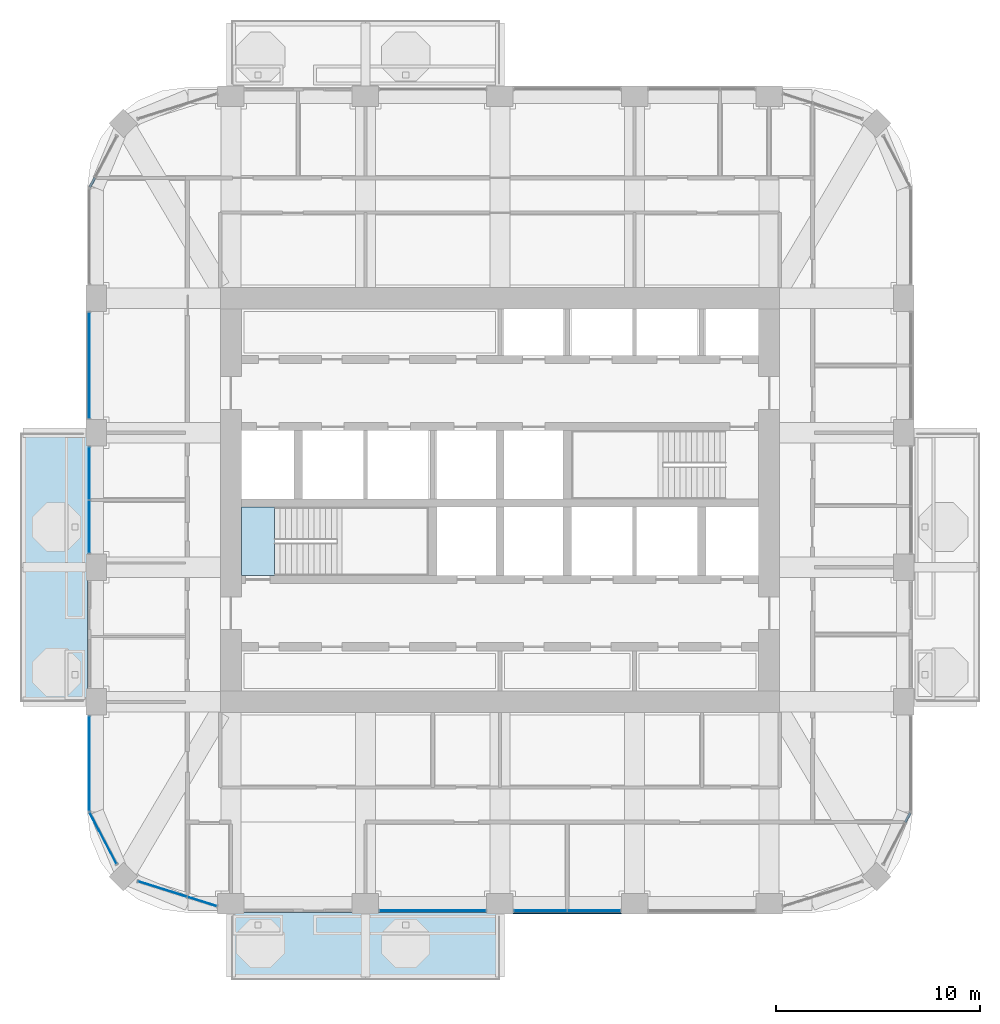
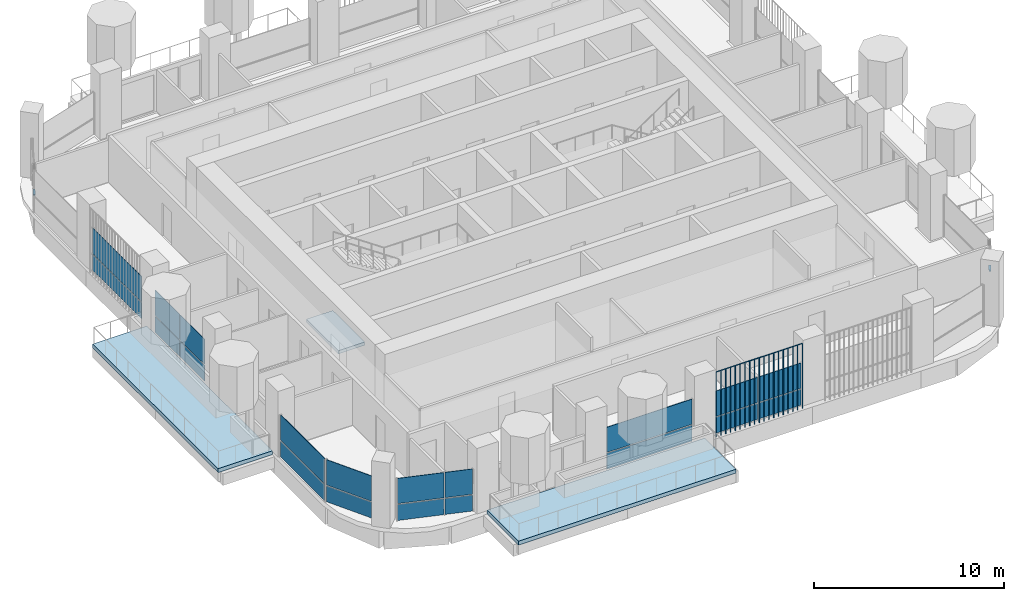
# One storey, part 7 of 20: 21 plates, 3 slabs, 2 members, 10 elements without a shape of their own.
"""IFC4 building model written with IfcOpenShell, lengths in metres."""

from ifc_helpers import new_model, si_unit, direction, frame, origin, origin_2d, place, context, subcontext, project, spatial, polyline, rectangle, outline, extrude, material, layer, layer_set, material_profile, profile_set, type_object, element, aggregate, save


model = new_model("IFC4")

# Units and contexts
model_context = context("Model", 3, precision=1e-05, world=origin(), true_north=direction((0.0, 1.0)))
body_context = subcontext(model_context, "Body", "Model", "MODEL_VIEW")
ifc_project = project(units=[si_unit("LENGTHUNIT", "METRE"), si_unit("AREAUNIT", "SQUARE_METRE"), si_unit("VOLUMEUNIT", "CUBIC_METRE"), si_unit("PLANEANGLEUNIT", "RADIAN"), si_unit("MASSUNIT", "GRAM", prefix="KILO")], contexts=[model_context])

# Site, building, storey
site_placement = place(None, origin())
site = spatial("IfcSite", under=ifc_project, at=site_placement, CompositionType="ELEMENT")
building_placement = place(site_placement, origin())
building = spatial("IfcBuilding", under=site, at=building_placement, Name="Cobogo Forest Laboratory Tower", CompositionType="ELEMENT")
storey_placement = place(building_placement, frame((0.0, 0.0, 254.39990234375)))
storey = spatial("IfcBuildingStorey", under=building, at=storey_placement, Name="L58", CompositionType="ELEMENT", Elevation=254.39990234375)

# Curtain wall, member
ifc_material_1 = material(Name="Aluminium curtain wall", Category="aluminium")
curtain_wall_type = type_object("IfcCurtainWallType", Name="CW-2 unitised curtain wall, solar control glazing, laboratory floors zones C and D", PredefinedType="USERDEFINED", material=ifc_material_1)
curtain_wall_1_placement = place(storey_placement, origin())
curtain_wall_1 = element("IfcCurtainWall", 1, at=curtain_wall_1_placement, inside=storey, type_object=curtain_wall_type, Name="Curtain wall 06 L58", ObjectType="UNITISED CURTAIN WALL", PredefinedType="USERDEFINED")
ifc_material_2 = material(Name="Aluminium transom", Category="aluminium")
ifc_material_profile = material_profile(ifc_material_2, rectangle(XDim=0.1201171875, YDim=0.06005859375, at=origin_2d()), Name="AL 60x120")
ifc_profile_set = profile_set([ifc_material_profile], Name="Aluminium transom")
member_type = type_object("IfcMemberType", Name="TR-1 aluminium transom 60x120", PredefinedType="USERDEFINED", material=ifc_profile_set)
member_1_placement = place(storey_placement, frame((46.282470703125, 7.289306640625, 1.050048828125), z_axis=(0.46414828098, 0.885757513806, 0.0), x_axis=(-0.885757513806, 0.46414828098, 0.0)))
member_1 = element("IfcMember", 2, at=member_1_placement, type_object=member_type, Name="CW-2 transom 2.1", ObjectType="TRANSOM", PredefinedType="USERDEFINED", context=body_context, shape_type="SweptSolid", body=[
    extrude(rectangle(XDim=0.1201171875, YDim=0.06005859375, at=origin_2d()), origin(), (0.0, 0.0, 1.0), 0.5166015625),
])
aggregate(curtain_wall_1, [member_1])

curtain_wall_2_placement = place(storey_placement, origin())
curtain_wall_2 = element("IfcCurtainWall", 3, at=curtain_wall_2_placement, inside=storey, type_object=curtain_wall_type, Name="Curtain wall 19 L58", ObjectType="UNITISED CURTAIN WALL", PredefinedType="USERDEFINED")
member_2_placement = place(storey_placement, frame((6.517578125, 38.91064453125, 1.050048828125), z_axis=(-0.46414828098, -0.885757513806, 0.0), x_axis=(0.885757513806, -0.46414828098, 0.0)))
member_2 = element("IfcMember", 4, at=member_2_placement, type_object=member_type, Name="CW-2 transom 2.1", ObjectType="TRANSOM", PredefinedType="USERDEFINED", context=body_context, shape_type="SweptSolid", body=[
    extrude(rectangle(XDim=0.1201171875, YDim=0.06005859375, at=origin_2d()), origin(), (0.0, 0.0, 1.0), 0.5166015625),
])
aggregate(curtain_wall_2, [member_2])

# Slabs
ifc_material_3 = material(Name="Concrete HA-40 (C40/50)", Category="concrete")
ifc_layer_1 = layer(ifc_material_3, 0.25)
ifc_layer_set_1 = layer_set([ifc_layer_1], Name="Balcony slab 250")
slab_type_1 = type_object("IfcSlabType", Name="Balcony slab 250", PredefinedType="FLOOR", material=ifc_layer_set_1)
slab_1_placement = place(storey_placement, frame((0.0, 0.0, -0.25)))
element("IfcSlab", 5, at=slab_1_placement, inside=storey, type_object=slab_type_1, Name="Balcony BAL-S1 L58", PredefinedType="FLOOR", context=body_context, shape_type="SweptSolid", body=[
    extrude(outline(polyline([(13.199951171875, -0.449951171875), (26.39990234375, -0.449951171875), (26.39990234375, 2.85009765625), (13.199951171875, 2.85009765625), (13.199951171875, -0.449951171875)])), origin(), (0.0, 0.0, 1.0), 0.25),
])
slab_2_placement = place(storey_placement, frame((0.0, 0.0, -0.25)))
element("IfcSlab", 6, at=slab_2_placement, inside=storey, type_object=slab_type_1, Name="Balcony BAL-W1 L58", PredefinedType="FLOOR", context=body_context, shape_type="SweptSolid", body=[
    extrude(outline(polyline([(2.85009765625, 13.199951171875), (6.14990234375, 13.199951171875), (6.14990234375, 26.39990234375), (2.85009765625, 26.39990234375), (2.85009765625, 13.199951171875)])), origin(), (0.0, 0.0, 1.0), 0.25),
])

# Curtain wall, plates
curtain_wall_3_placement = place(storey_placement, origin())
curtain_wall_3 = element("IfcCurtainWall", 7, at=curtain_wall_3_placement, inside=storey, type_object=curtain_wall_type, Name="Curtain wall 02 L58", ObjectType="UNITISED CURTAIN WALL", PredefinedType="USERDEFINED")
ifc_material_4 = material(Name="Solar control insulated glass", Category="glass")
ifc_layer_2 = layer(ifc_material_4, 0.031982421875)
ifc_layer_set_2 = layer_set([ifc_layer_2], Name="GP-2 solar control glass unit 32")
plate_type_1 = type_object("IfcPlateType", Name="GP-2 solar control glass unit 32", PredefinedType="CURTAIN_PANEL", material=ifc_layer_set_2)
plate_1_placement = place(storey_placement, frame((23.10009765625, 2.949951171875, 0.0), z_axis=(0.0, 0.0, 1.0), x_axis=(1.0, 0.0, 0.0)))
plate_1 = element("IfcPlate", 8, at=plate_1_placement, type_object=plate_type_1, Name="CW-2 panel 1.1", PredefinedType="CURTAIN_PANEL", context=body_context, shape_type="SweptSolid", body=[
    extrude(rectangle(XDim=5.179931640625, YDim=0.031982421875, at=origin_2d()), origin(), (0.0, 0.0, 1.0), 1.02001953125),
])
plate_2_placement = place(storey_placement, frame((23.10009765625, 2.949951171875, 1.080078125), z_axis=(0.0, 0.0, 1.0), x_axis=(1.0, 0.0, 0.0)))
plate_2 = element("IfcPlate", 9, at=plate_2_placement, type_object=plate_type_1, Name="CW-2 panel 1.2", PredefinedType="CURTAIN_PANEL", context=body_context, shape_type="SweptSolid", body=[
    extrude(rectangle(XDim=5.179931640625, YDim=0.031982421875, at=origin_2d()), origin(), (0.0, 0.0, 1.0), 1.6201171875),
])
aggregate(curtain_wall_3, [plate_1, plate_2])

curtain_wall_4_placement = place(storey_placement, origin())
curtain_wall_4 = element("IfcCurtainWall", 10, at=curtain_wall_4_placement, inside=storey, type_object=curtain_wall_type, Name="Curtain wall 03 L58", ObjectType="UNITISED CURTAIN WALL", PredefinedType="USERDEFINED")
plate_3_placement = place(storey_placement, frame((28.389892578125, 2.949951171875, 0.0), z_axis=(0.0, 0.0, 1.0), x_axis=(1.0, 0.0, 0.0)))
plate_3 = element("IfcPlate", 11, at=plate_3_placement, type_object=plate_type_1, Name="CW-2 panel 1.1", PredefinedType="CURTAIN_PANEL", context=body_context, shape_type="SweptSolid", body=[
    extrude(rectangle(XDim=2.56005859375, YDim=0.031982421875, at=origin_2d()), origin(), (0.0, 0.0, 1.0), 1.02001953125),
])
plate_4_placement = place(storey_placement, frame((28.389892578125, 2.949951171875, 1.080078125), z_axis=(0.0, 0.0, 1.0), x_axis=(1.0, 0.0, 0.0)))
plate_4 = element("IfcPlate", 12, at=plate_4_placement, type_object=plate_type_1, Name="CW-2 panel 1.2", PredefinedType="CURTAIN_PANEL", context=body_context, shape_type="SweptSolid", body=[
    extrude(rectangle(XDim=2.56005859375, YDim=0.031982421875, at=origin_2d()), origin(), (0.0, 0.0, 1.0), 1.6201171875),
])
plate_5_placement = place(storey_placement, frame((31.010009765625, 2.949951171875, 0.0), z_axis=(0.0, 0.0, 1.0), x_axis=(1.0, 0.0, 0.0)))
plate_5 = element("IfcPlate", 13, at=plate_5_placement, type_object=plate_type_1, Name="CW-2 panel 2.1", PredefinedType="CURTAIN_PANEL", context=body_context, shape_type="SweptSolid", body=[
    extrude(rectangle(XDim=2.56005859375, YDim=0.031982421875, at=origin_2d()), origin(), (0.0, 0.0, 1.0), 1.02001953125),
])
plate_6_placement = place(storey_placement, frame((31.010009765625, 2.949951171875, 1.080078125), z_axis=(0.0, 0.0, 1.0), x_axis=(1.0, 0.0, 0.0)))
plate_6 = element("IfcPlate", 14, at=plate_6_placement, type_object=plate_type_1, Name="CW-2 panel 2.2", PredefinedType="CURTAIN_PANEL", context=body_context, shape_type="SweptSolid", body=[
    extrude(rectangle(XDim=2.56005859375, YDim=0.031982421875, at=origin_2d()), origin(), (0.0, 0.0, 1.0), 1.6201171875),
])
aggregate(curtain_wall_4, [plate_3, plate_4, plate_5, plate_6])

curtain_wall_5_placement = place(storey_placement, origin())
curtain_wall_5 = element("IfcCurtainWall", 15, at=curtain_wall_5_placement, inside=storey, type_object=curtain_wall_type, Name="Curtain wall 21 L58", ObjectType="UNITISED CURTAIN WALL", PredefinedType="USERDEFINED")
plate_7_placement = place(storey_placement, frame((6.25, 29.699951171875, 0.0), z_axis=(0.0, 0.0, 1.0), x_axis=(0.0, -1.0, 0.0)))
plate_7 = element("IfcPlate", 16, at=plate_7_placement, type_object=plate_type_1, Name="CW-2 panel 1.1", PredefinedType="CURTAIN_PANEL", context=body_context, shape_type="SweptSolid", body=[
    extrude(rectangle(XDim=5.179931640625, YDim=0.031982421875, at=origin_2d()), origin(), (0.0, 0.0, 1.0), 1.02001953125),
])
plate_8_placement = place(storey_placement, frame((6.25, 29.699951171875, 1.080078125), z_axis=(0.0, 0.0, 1.0), x_axis=(0.0, -1.0, 0.0)))
plate_8 = element("IfcPlate", 17, at=plate_8_placement, type_object=plate_type_1, Name="CW-2 panel 1.2", PredefinedType="CURTAIN_PANEL", context=body_context, shape_type="SweptSolid", body=[
    extrude(rectangle(XDim=5.179931640625, YDim=0.031982421875, at=origin_2d()), origin(), (0.0, 0.0, 1.0), 1.6201171875),
])
aggregate(curtain_wall_5, [plate_7, plate_8])

curtain_wall_6_placement = place(storey_placement, origin())
curtain_wall_6 = element("IfcCurtainWall", 18, at=curtain_wall_6_placement, inside=storey, type_object=curtain_wall_type, Name="Curtain wall 22 L58", ObjectType="UNITISED CURTAIN WALL", PredefinedType="USERDEFINED")
plate_9_placement = place(storey_placement, frame((6.25, 24.409912109375, 0.0), z_axis=(0.0, 0.0, 1.0), x_axis=(0.0, -1.0, 0.0)))
plate_9 = element("IfcPlate", 19, at=plate_9_placement, type_object=plate_type_1, Name="CW-2 panel 1.1", PredefinedType="CURTAIN_PANEL", context=body_context, shape_type="SweptSolid", body=[
    extrude(rectangle(XDim=2.56005859375, YDim=0.031982421875, at=origin_2d()), origin(), (0.0, 0.0, 1.0), 1.02001953125),
])
plate_10_placement = place(storey_placement, frame((6.25, 24.409912109375, 1.080078125), z_axis=(0.0, 0.0, 1.0), x_axis=(0.0, -1.0, 0.0)))
plate_10 = element("IfcPlate", 20, at=plate_10_placement, type_object=plate_type_1, Name="CW-2 panel 1.2", PredefinedType="CURTAIN_PANEL", context=body_context, shape_type="SweptSolid", body=[
    extrude(rectangle(XDim=2.56005859375, YDim=0.031982421875, at=origin_2d()), origin(), (0.0, 0.0, 1.0), 1.6201171875),
])
plate_11_placement = place(storey_placement, frame((6.25, 21.7900390625, 0.0), z_axis=(0.0, 0.0, 1.0), x_axis=(0.0, -1.0, 0.0)))
plate_11 = element("IfcPlate", 21, at=plate_11_placement, type_object=plate_type_1, Name="CW-2 panel 2.1", PredefinedType="CURTAIN_PANEL", context=body_context, shape_type="SweptSolid", body=[
    extrude(rectangle(XDim=2.56005859375, YDim=0.031982421875, at=origin_2d()), origin(), (0.0, 0.0, 1.0), 1.02001953125),
])
plate_12_placement = place(storey_placement, frame((6.25, 21.7900390625, 1.080078125), z_axis=(0.0, 0.0, 1.0), x_axis=(0.0, -1.0, 0.0)))
plate_12 = element("IfcPlate", 22, at=plate_12_placement, type_object=plate_type_1, Name="CW-2 panel 2.2", PredefinedType="CURTAIN_PANEL", context=body_context, shape_type="SweptSolid", body=[
    extrude(rectangle(XDim=2.56005859375, YDim=0.031982421875, at=origin_2d()), origin(), (0.0, 0.0, 1.0), 1.6201171875),
])
aggregate(curtain_wall_6, [plate_9, plate_10, plate_11, plate_12])

curtain_wall_7_placement = place(storey_placement, origin())
curtain_wall_7 = element("IfcCurtainWall", 23, at=curtain_wall_7_placement, inside=storey, type_object=curtain_wall_type, Name="Curtain wall 24 L58", ObjectType="UNITISED CURTAIN WALL", PredefinedType="USERDEFINED")
plate_13_placement = place(storey_placement, frame((6.25, 10.175048828125, 0.0), z_axis=(0.0, 0.0, 1.0), x_axis=(0.0, -1.0, 0.0)))
plate_13 = element("IfcPlate", 24, at=plate_13_placement, type_object=plate_type_1, Name="CW-2 panel 1.1", PredefinedType="CURTAIN_PANEL", context=body_context, shape_type="SweptSolid", body=[
    extrude(rectangle(XDim=4.6298828125, YDim=0.031982421875, at=origin_2d()), origin(), (0.0, 0.0, 1.0), 1.02001953125),
])
plate_14_placement = place(storey_placement, frame((6.25, 10.175048828125, 1.080078125), z_axis=(0.0, 0.0, 1.0), x_axis=(0.0, -1.0, 0.0)))
plate_14 = element("IfcPlate", 25, at=plate_14_placement, type_object=plate_type_1, Name="CW-2 panel 1.2", PredefinedType="CURTAIN_PANEL", context=body_context, shape_type="SweptSolid", body=[
    extrude(rectangle(XDim=4.6298828125, YDim=0.031982421875, at=origin_2d()), origin(), (0.0, 0.0, 1.0), 1.6201171875),
])
aggregate(curtain_wall_7, [plate_13, plate_14])

curtain_wall_8_placement = place(storey_placement, origin())
curtain_wall_8 = element("IfcCurtainWall", 26, at=curtain_wall_8_placement, inside=storey, type_object=curtain_wall_type, Name="Curtain wall 25 L58", ObjectType="UNITISED CURTAIN WALL", PredefinedType="USERDEFINED")
plate_15_placement = place(storey_placement, frame((6.930908203125, 6.501220703125, 0.0), z_axis=(0.0, 0.0, 1.0), x_axis=(0.464283791352, -0.885686491422, 0.0)))
plate_15 = element("IfcPlate", 27, at=plate_15_placement, type_object=plate_type_1, Name="CW-2 panel 1.1", PredefinedType="CURTAIN_PANEL", context=body_context, shape_type="SweptSolid", body=[
    extrude(rectangle(XDim=2.812744140625, YDim=0.031982421875, at=origin_2d()), origin(), (0.0, 0.0, 1.0), 1.02001953125),
])
plate_16_placement = place(storey_placement, frame((6.930908203125, 6.501220703125, 1.080078125), z_axis=(0.0, 0.0, 1.0), x_axis=(0.464283791352, -0.885686491422, 0.0)))
plate_16 = element("IfcPlate", 28, at=plate_16_placement, type_object=plate_type_1, Name="CW-2 panel 1.2", PredefinedType="CURTAIN_PANEL", context=body_context, shape_type="SweptSolid", body=[
    extrude(rectangle(XDim=2.812744140625, YDim=0.031982421875, at=origin_2d()), origin(), (0.0, 0.0, 1.0), 1.6201171875),
])
aggregate(curtain_wall_8, [plate_15, plate_16])

curtain_wall_9_placement = place(storey_placement, origin())
curtain_wall_9 = element("IfcCurtainWall", 29, at=curtain_wall_9_placement, inside=storey, type_object=curtain_wall_type, Name="Curtain wall 26 L58", ObjectType="UNITISED CURTAIN WALL", PredefinedType="USERDEFINED")
plate_17_placement = place(storey_placement, frame((9.83740234375, 4.011962890625, 0.0), z_axis=(0.0, 0.0, 1.0), x_axis=(0.953581386052, -0.301135418334, 0.0)))
plate_17 = element("IfcPlate", 30, at=plate_17_placement, type_object=plate_type_1, Name="CW-2 panel 1.1", PredefinedType="CURTAIN_PANEL", context=body_context, shape_type="SweptSolid", body=[
    extrude(rectangle(XDim=2.4853515625, YDim=0.031982421875, at=origin_2d()), origin(), (0.0, 0.0, 1.0), 1.02001953125),
])
plate_18_placement = place(storey_placement, frame((9.83740234375, 4.011962890625, 1.080078125), z_axis=(0.0, 0.0, 1.0), x_axis=(0.953581386052, -0.301135418334, 0.0)))
plate_18 = element("IfcPlate", 31, at=plate_18_placement, type_object=plate_type_1, Name="CW-2 panel 1.2", PredefinedType="CURTAIN_PANEL", context=body_context, shape_type="SweptSolid", body=[
    extrude(rectangle(XDim=2.4853515625, YDim=0.031982421875, at=origin_2d()), origin(), (0.0, 0.0, 1.0), 1.6201171875),
])
plate_19_placement = place(storey_placement, frame((11.7861328125, 3.396484375, 0.0), z_axis=(0.0, 0.0, 1.0), x_axis=(0.953581386052, -0.301135418334, 0.0)))
plate_19 = element("IfcPlate", 32, at=plate_19_placement, type_object=plate_type_1, Name="CW-2 panel 2.1", PredefinedType="CURTAIN_PANEL", context=body_context, shape_type="SweptSolid", body=[
    extrude(rectangle(XDim=1.482177734375, YDim=0.031982421875, at=origin_2d()), origin(), (0.0, 0.0, 1.0), 1.02001953125),
])
plate_20_placement = place(storey_placement, frame((11.7861328125, 3.396484375, 1.080078125), z_axis=(0.0, 0.0, 1.0), x_axis=(0.953581386052, -0.301135418334, 0.0)))
plate_20 = element("IfcPlate", 33, at=plate_20_placement, type_object=plate_type_1, Name="CW-2 panel 2.2", PredefinedType="CURTAIN_PANEL", context=body_context, shape_type="SweptSolid", body=[
    extrude(rectangle(XDim=1.482177734375, YDim=0.031982421875, at=origin_2d()), origin(), (0.0, 0.0, 1.0), 1.6201171875),
])
aggregate(curtain_wall_9, [plate_17, plate_18, plate_19, plate_20])

# Stair, slab
ifc_material_5 = material(Name="Precast concrete HA-40 (C40/50)", Category="concrete")
stair_type = type_object("IfcStairType", Name="ST24 exit stair 24 risers", PredefinedType="HALF_TURN_STAIR", material=ifc_material_5)
stair_placement = place(storey_placement, origin())
stair = element("IfcStair", 34, at=stair_placement, inside=storey, type_object=stair_type, Name="Stair 1 L58 to L59", PredefinedType="HALF_TURN_STAIR")
ifc_layer_3 = layer(ifc_material_3, 0.199951171875)
ifc_layer_set_3 = layer_set([ifc_layer_3], Name="SL stair landing 200")
slab_type_2 = type_object("IfcSlabType", Name="SL stair landing 200", PredefinedType="LANDING", material=ifc_layer_set_3)
slab_3_placement = place(storey_placement, frame((0.0, 0.0, -0.199951171875)))
slab_3 = element("IfcSlab", 35, at=slab_3_placement, type_object=slab_type_2, Name="ST1 landing 1", PredefinedType="LANDING", context=body_context, shape_type="SweptSolid", body=[
    extrude(outline(polyline([(13.72509765625, 19.39990234375), (15.326904296875, 19.39990234375), (15.326904296875, 22.75), (13.72509765625, 22.75), (13.72509765625, 19.39990234375)])), origin(), (0.0, 0.0, 1.0), 0.199951171875),
])
aggregate(stair, [slab_3])

# Plate
ifc_material_6 = material(Name="Terracotta", Category="masonry")
plate_type_2 = type_object("IfcPlateType", Name="TB1 terracotta baguette screen", PredefinedType="USERDEFINED", material=ifc_material_6)
plate_21_placement = place(storey_placement, frame((27.081298828125, 2.822021484375, -0.14990234375)))
element("IfcPlate", 36, at=plate_21_placement, inside=storey, type_object=plate_type_2, Name="Baguette screen S3 L58", ObjectType="BAGUETTE SCREEN", PredefinedType="USERDEFINED", context=body_context, shape_type="SweptSolid", body=[
    extrude(outline(polyline([(0.02880859375, 0.011962890625), (0.011962890625, 0.02880859375), (-0.011962890625, 0.02880859375), (-0.02880859375, 0.011962890625), (-0.02880859375, -0.011962890625), (-0.011962890625, -0.02880859375), (0.011962890625, -0.02880859375), (0.02880859375, -0.011962890625), (0.02880859375, 0.011962890625)])), frame((0.0, 0.0, 4.168701171875), z_axis=(1.0, 0.0, 0.0), x_axis=(0.0, 1.0, 0.0)), (0.0, 0.0, 1.0), 5.237548828125),
    extrude(outline(polyline([(0.02880859375, 0.011962890625), (0.011962890625, 0.02880859375), (-0.011962890625, 0.02880859375), (-0.02880859375, 0.011962890625), (-0.02880859375, -0.011962890625), (-0.011962890625, -0.02880859375), (0.011962890625, -0.02880859375), (0.02880859375, -0.011962890625), (0.02880859375, 0.011962890625)])), origin(), (0.0, 0.0, 1.0), 4.137451171875),
    extrude(outline(polyline([(0.02880859375, 0.011962890625), (0.011962890625, 0.02880859375), (-0.011962890625, 0.02880859375), (-0.02880859375, 0.011962890625), (-0.02880859375, -0.011962890625), (-0.011962890625, -0.02880859375), (0.011962890625, -0.02880859375), (0.02880859375, -0.011962890625), (0.02880859375, 0.011962890625)])), frame((0.291015625, 0.0, 0.0)), (0.0, 0.0, 1.0), 4.137451171875),
    extrude(outline(polyline([(0.02880859375, 0.011962890625), (0.011962890625, 0.02880859375), (-0.011962890625, 0.02880859375), (-0.02880859375, 0.011962890625), (-0.02880859375, -0.011962890625), (-0.011962890625, -0.02880859375), (0.011962890625, -0.02880859375), (0.02880859375, -0.011962890625), (0.02880859375, 0.011962890625)])), frame((0.58203125, 0.0, 0.0)), (0.0, 0.0, 1.0), 4.137451171875),
    extrude(outline(polyline([(0.02880859375, 0.011962890625), (0.011962890625, 0.02880859375), (-0.011962890625, 0.02880859375), (-0.02880859375, 0.011962890625), (-0.02880859375, -0.011962890625), (-0.011962890625, -0.02880859375), (0.011962890625, -0.02880859375), (0.02880859375, -0.011962890625), (0.02880859375, 0.011962890625)])), frame((0.873046875, 0.0, 0.0)), (0.0, 0.0, 1.0), 4.137451171875),
    extrude(outline(polyline([(0.02880859375, 0.011962890625), (0.011962890625, 0.02880859375), (-0.011962890625, 0.02880859375), (-0.02880859375, 0.011962890625), (-0.02880859375, -0.011962890625), (-0.011962890625, -0.02880859375), (0.011962890625, -0.02880859375), (0.02880859375, -0.011962890625), (0.02880859375, 0.011962890625)])), frame((1.163818359375, 0.0, 0.0)), (0.0, 0.0, 1.0), 4.137451171875),
    extrude(outline(polyline([(0.02880859375, 0.011962890625), (0.011962890625, 0.02880859375), (-0.011962890625, 0.02880859375), (-0.02880859375, 0.011962890625), (-0.02880859375, -0.011962890625), (-0.011962890625, -0.02880859375), (0.011962890625, -0.02880859375), (0.02880859375, -0.011962890625), (0.02880859375, 0.011962890625)])), frame((1.454833984375, 0.0, 0.0)), (0.0, 0.0, 1.0), 4.137451171875),
    extrude(outline(polyline([(0.02880859375, 0.011962890625), (0.011962890625, 0.02880859375), (-0.011962890625, 0.02880859375), (-0.02880859375, 0.011962890625), (-0.02880859375, -0.011962890625), (-0.011962890625, -0.02880859375), (0.011962890625, -0.02880859375), (0.02880859375, -0.011962890625), (0.02880859375, 0.011962890625)])), frame((1.745849609375, 0.0, 0.0)), (0.0, 0.0, 1.0), 4.137451171875),
    extrude(outline(polyline([(0.02880859375, 0.011962890625), (0.011962890625, 0.02880859375), (-0.011962890625, 0.02880859375), (-0.02880859375, 0.011962890625), (-0.02880859375, -0.011962890625), (-0.011962890625, -0.02880859375), (0.011962890625, -0.02880859375), (0.02880859375, -0.011962890625), (0.02880859375, 0.011962890625)])), frame((2.036865234375, 0.0, 0.0)), (0.0, 0.0, 1.0), 4.137451171875),
    extrude(outline(polyline([(0.02880859375, 0.011962890625), (0.011962890625, 0.02880859375), (-0.011962890625, 0.02880859375), (-0.02880859375, 0.011962890625), (-0.02880859375, -0.011962890625), (-0.011962890625, -0.02880859375), (0.011962890625, -0.02880859375), (0.02880859375, -0.011962890625), (0.02880859375, 0.011962890625)])), frame((2.327880859375, 0.0, 0.0)), (0.0, 0.0, 1.0), 4.137451171875),
    extrude(outline(polyline([(0.02880859375, 0.011962890625), (0.011962890625, 0.02880859375), (-0.011962890625, 0.02880859375), (-0.02880859375, 0.011962890625), (-0.02880859375, -0.011962890625), (-0.011962890625, -0.02880859375), (0.011962890625, -0.02880859375), (0.02880859375, -0.011962890625), (0.02880859375, 0.011962890625)])), frame((2.61865234375, 0.0, 0.0)), (0.0, 0.0, 1.0), 4.137451171875),
    extrude(outline(polyline([(0.02880859375, 0.011962890625), (0.011962890625, 0.02880859375), (-0.011962890625, 0.02880859375), (-0.02880859375, 0.011962890625), (-0.02880859375, -0.011962890625), (-0.011962890625, -0.02880859375), (0.011962890625, -0.02880859375), (0.02880859375, -0.011962890625), (0.02880859375, 0.011962890625)])), frame((2.90966796875, 0.0, 0.0)), (0.0, 0.0, 1.0), 4.137451171875),
    extrude(outline(polyline([(0.02880859375, 0.011962890625), (0.011962890625, 0.02880859375), (-0.011962890625, 0.02880859375), (-0.02880859375, 0.011962890625), (-0.02880859375, -0.011962890625), (-0.011962890625, -0.02880859375), (0.011962890625, -0.02880859375), (0.02880859375, -0.011962890625), (0.02880859375, 0.011962890625)])), frame((3.20068359375, 0.0, 0.0)), (0.0, 0.0, 1.0), 4.137451171875),
    extrude(outline(polyline([(0.02880859375, 0.011962890625), (0.011962890625, 0.02880859375), (-0.011962890625, 0.02880859375), (-0.02880859375, 0.011962890625), (-0.02880859375, -0.011962890625), (-0.011962890625, -0.02880859375), (0.011962890625, -0.02880859375), (0.02880859375, -0.011962890625), (0.02880859375, 0.011962890625)])), frame((3.49169921875, 0.0, 0.0)), (0.0, 0.0, 1.0), 4.137451171875),
    extrude(outline(polyline([(0.02880859375, 0.011962890625), (0.011962890625, 0.02880859375), (-0.011962890625, 0.02880859375), (-0.02880859375, 0.011962890625), (-0.02880859375, -0.011962890625), (-0.011962890625, -0.02880859375), (0.011962890625, -0.02880859375), (0.02880859375, -0.011962890625), (0.02880859375, 0.011962890625)])), frame((3.78271484375, 0.0, 0.0)), (0.0, 0.0, 1.0), 4.137451171875),
    extrude(outline(polyline([(0.02880859375, 0.011962890625), (0.011962890625, 0.02880859375), (-0.011962890625, 0.02880859375), (-0.02880859375, 0.011962890625), (-0.02880859375, -0.011962890625), (-0.011962890625, -0.02880859375), (0.011962890625, -0.02880859375), (0.02880859375, -0.011962890625), (0.02880859375, 0.011962890625)])), frame((4.07373046875, 0.0, 0.0)), (0.0, 0.0, 1.0), 4.137451171875),
    extrude(outline(polyline([(0.02880859375, 0.011962890625), (0.011962890625, 0.02880859375), (-0.011962890625, 0.02880859375), (-0.02880859375, 0.011962890625), (-0.02880859375, -0.011962890625), (-0.011962890625, -0.02880859375), (0.011962890625, -0.02880859375), (0.02880859375, -0.011962890625), (0.02880859375, 0.011962890625)])), frame((4.36474609375, 0.0, 0.0)), (0.0, 0.0, 1.0), 4.137451171875),
    extrude(outline(polyline([(0.02880859375, 0.011962890625), (0.011962890625, 0.02880859375), (-0.011962890625, 0.02880859375), (-0.02880859375, 0.011962890625), (-0.02880859375, -0.011962890625), (-0.011962890625, -0.02880859375), (0.011962890625, -0.02880859375), (0.02880859375, -0.011962890625), (0.02880859375, 0.011962890625)])), frame((4.655517578125, 0.0, 0.0)), (0.0, 0.0, 1.0), 4.137451171875),
    extrude(outline(polyline([(0.02880859375, 0.011962890625), (0.011962890625, 0.02880859375), (-0.011962890625, 0.02880859375), (-0.02880859375, 0.011962890625), (-0.02880859375, -0.011962890625), (-0.011962890625, -0.02880859375), (0.011962890625, -0.02880859375), (0.02880859375, -0.011962890625), (0.02880859375, 0.011962890625)])), frame((4.946533203125, 0.0, 0.0)), (0.0, 0.0, 1.0), 4.137451171875),
    extrude(outline(polyline([(0.02880859375, 0.011962890625), (0.011962890625, 0.02880859375), (-0.011962890625, 0.02880859375), (-0.02880859375, 0.011962890625), (-0.02880859375, -0.011962890625), (-0.011962890625, -0.02880859375), (0.011962890625, -0.02880859375), (0.02880859375, -0.011962890625), (0.02880859375, 0.011962890625)])), frame((5.237548828125, 0.0, 0.0)), (0.0, 0.0, 1.0), 4.137451171875),
])

save(model, "model.ifc")
